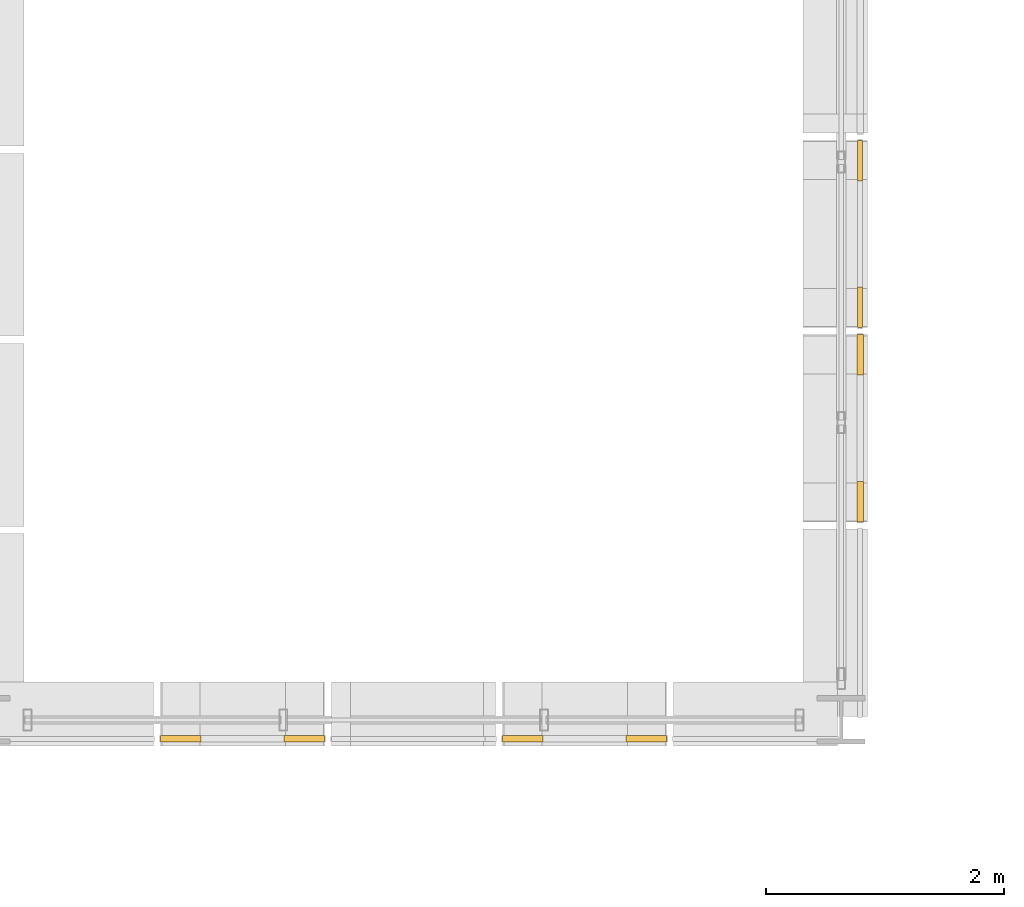
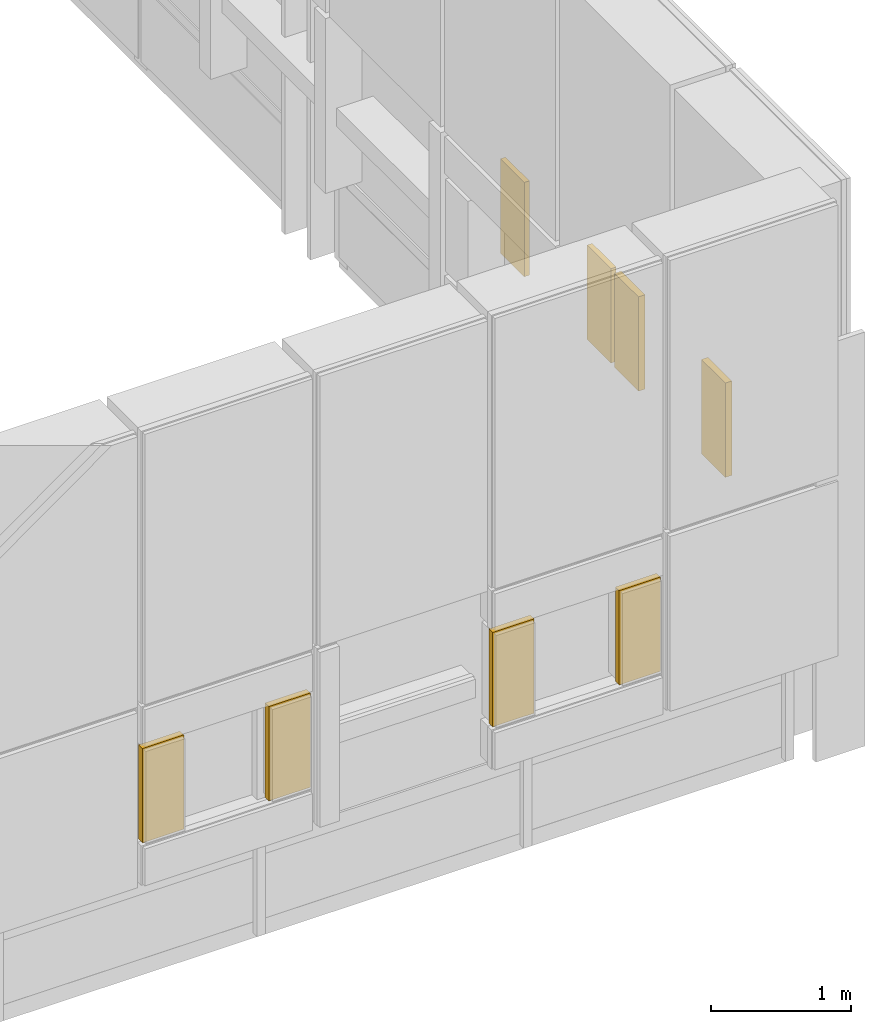
# One storey, part 93 of 96: 8 coverings.
"""IFC4 building model written with IfcOpenShell, lengths in metres."""

from ifc_helpers import new_model, si_unit, direction, frame, origin, origin_2d, place, context, subcontext, project, spatial, rectangle, extrude, material, layer, layer_set, type_object, element, save


model = new_model("IFC4")

# Units and contexts
model_context = context("Model", 3, precision=1e-05, world=origin(), true_north=direction((0.0, 1.0)))
body_context = subcontext(model_context, "Body", "Model", "MODEL_VIEW")
ifc_project = project(units=[si_unit("LENGTHUNIT", "METRE"), si_unit("AREAUNIT", "SQUARE_METRE"), si_unit("VOLUMEUNIT", "CUBIC_METRE"), si_unit("PLANEANGLEUNIT", "RADIAN"), si_unit("MASSUNIT", "GRAM", prefix="KILO")], contexts=[model_context])

# Site, building, storey
site_placement = place(None, origin())
site = spatial("IfcSite", under=ifc_project, at=site_placement, CompositionType="ELEMENT")
building_placement = place(site_placement, origin())
building = spatial("IfcBuilding", under=site, at=building_placement, Name="Yarey Park Central Fire Station", CompositionType="ELEMENT")
storey_placement = place(building_placement, frame((0.0, 0.0, 14.39990234375)))
storey = spatial("IfcBuildingStorey", under=building, at=storey_placement, Name="L04", CompositionType="ELEMENT", Elevation=14.39990234375)

# Coverings
ifc_material = material(Name="Perforated Powder-Coated Aluminium Cladding", Category="aluminium")
ifc_layer_1 = layer(ifc_material, 0.0419921875)
ifc_layer_set_1 = layer_set([ifc_layer_1], Name="Perforated Powder-Coated Aluminium Cladding")
covering_type_1 = type_object("IfcCoveringType", Name="ENV_COV_PERF_1", PredefinedType="CLADDING", material=ifc_layer_set_1)
for number, where, z_axis, x_axis, name in (
    (1, (57.760009765625, 25.07275390625, 1.22509765625), (0.0, 0.0, 1.0), (0.0, 1.0, 0.0), "PERF_L04_0328"),
    (2, (57.760009765625, 26.30908203125, 1.22509765625), (0.0, 0.0, 1.0), (0.0, 1.0, 0.0), "PERF_L04_0329"),
):
    element("IfcCovering", number, at=place(storey_placement, frame(where, z_axis=z_axis, x_axis=x_axis)), inside=storey, type_object=covering_type_1, Name=name, PredefinedType="CLADDING", context=body_context, shape_type="SweptSolid", body=[
        extrude(rectangle(XDim=0.340087890625, YDim=0.0419921875, at=origin_2d()), origin(), (0.0, 0.0, 1.0), 0.820068359375),
    ])
ifc_layer_2 = layer(ifc_material, 0.053955078125)
ifc_layer_set_2 = layer_set([ifc_layer_2], Name="Perforated Powder-Coated Aluminium Cladding")
covering_type_2 = type_object("IfcCoveringType", Name="ENV_COV_PERF_2", PredefinedType="CLADDING", material=ifc_layer_set_2)
for number, where, z_axis, x_axis, name in (
    (3, (52.0400390625, 21.43994140625, 1.22509765625), (0.0, 0.0, 1.0), (1.0, 0.0, 0.0), "PERF_L04_0278"),
    (4, (53.080078125, 21.43994140625, 1.22509765625), (0.0, 0.0, 1.0), (1.0, 0.0, 0.0), "PERF_L04_0279"),
    (5, (54.919921875, 21.43994140625, 1.22509765625), (0.0, 0.0, 1.0), (1.0, 0.0, 0.0), "PERF_L04_0296"),
    (6, (55.9599609375, 21.43994140625, 1.22509765625), (0.0, 0.0, 1.0), (1.0, 0.0, 0.0), "PERF_L04_0297"),
    (7, (57.760009765625, 23.436279296875, 1.22509765625), (0.0, 0.0, 1.0), (0.0, 1.0, 0.0), "PERF_L04_0317"),
    (8, (57.760009765625, 24.672607421875, 1.22509765625), (0.0, 0.0, 1.0), (0.0, 1.0, 0.0), "PERF_L04_0318"),
):
    element("IfcCovering", number, at=place(storey_placement, frame(where, z_axis=z_axis, x_axis=x_axis)), inside=storey, type_object=covering_type_2, Name=name, PredefinedType="CLADDING", context=body_context, shape_type="SweptSolid", body=[
        extrude(rectangle(XDim=0.340087890625, YDim=0.053955078125, at=origin_2d()), origin(), (0.0, 0.0, 1.0), 0.820068359375),
    ])

save(model, "model.ifc")
